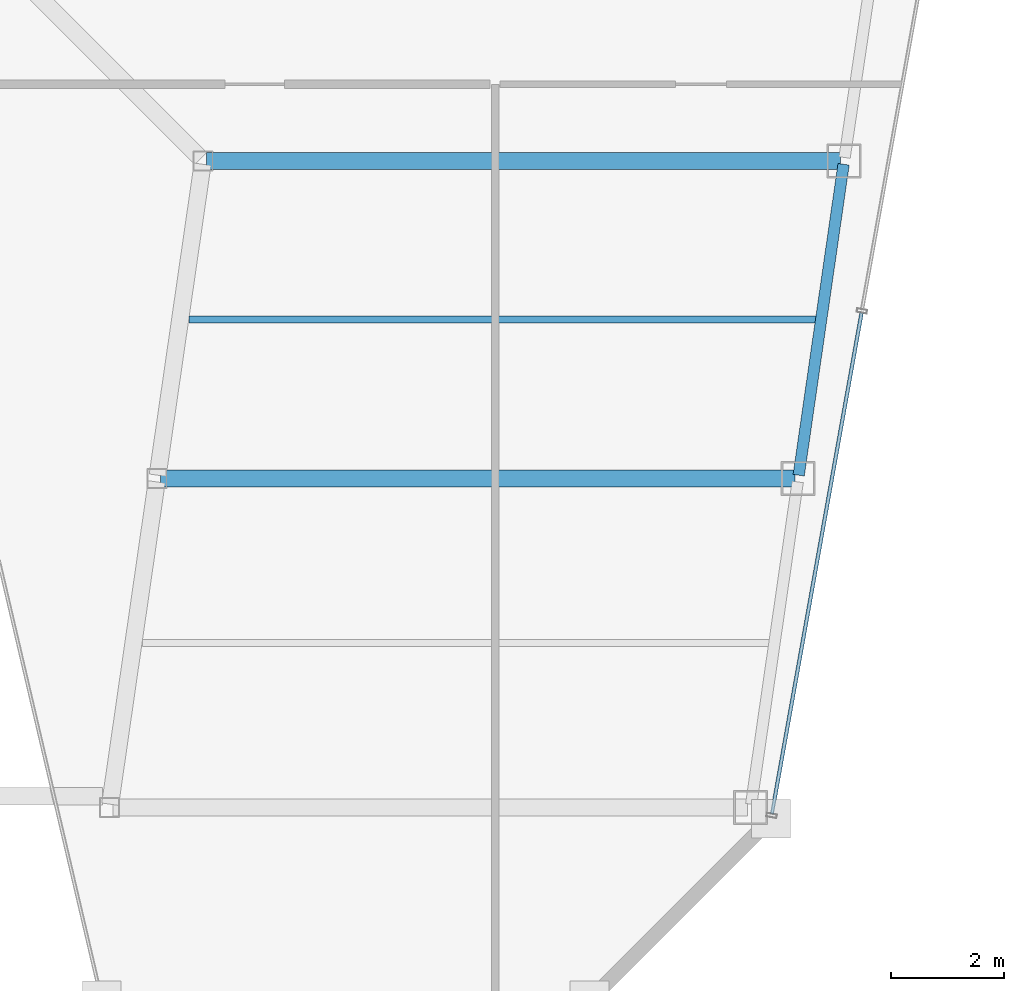
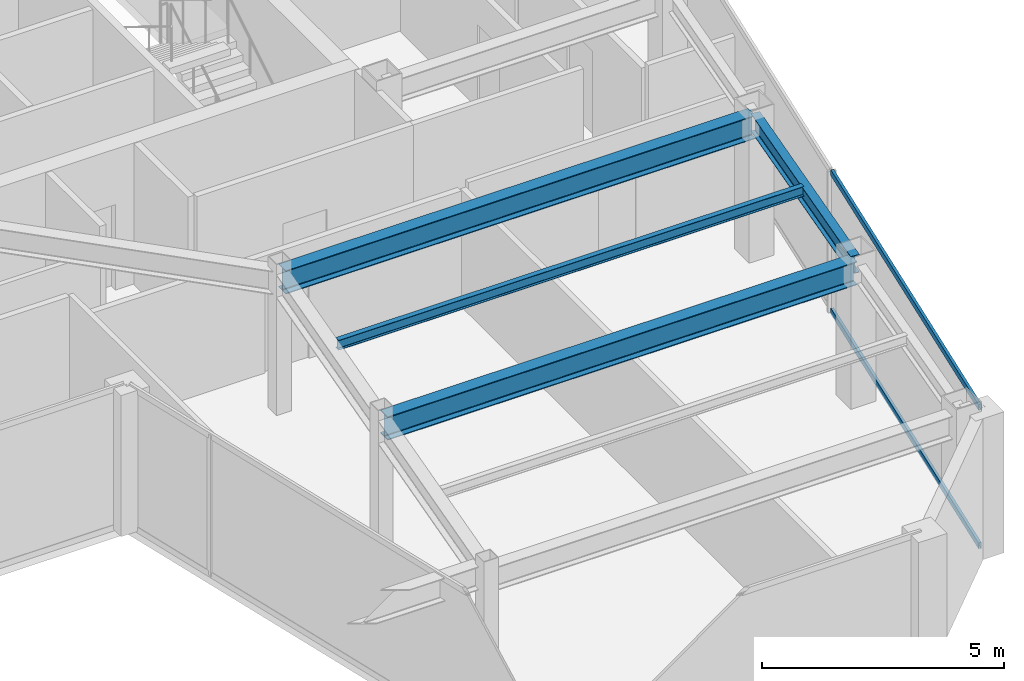
# One storey, part 16 of 32: 4 beams, 2 members, 1 element without a shape of its own.
"""IFC4 building model written with IfcOpenShell, lengths in metres."""

from ifc_helpers import new_model, si_unit, direction, frame, origin, origin_2d, place, context, subcontext, project, spatial, hollow_rectangle, i_section, extrude, material, material_profile, profile_set, type_object, element, aggregate, save


model = new_model("IFC4")

# Units and contexts
model_context = context("Model", 3, precision=1e-05, world=origin(), true_north=direction((0.0, 1.0)))
body_context = subcontext(model_context, "Body", "Model", "MODEL_VIEW")
ifc_project = project(units=[si_unit("LENGTHUNIT", "METRE"), si_unit("AREAUNIT", "SQUARE_METRE"), si_unit("VOLUMEUNIT", "CUBIC_METRE"), si_unit("PLANEANGLEUNIT", "RADIAN"), si_unit("MASSUNIT", "GRAM", prefix="KILO")], contexts=[model_context])

# Site, building, storey
site_placement = place(None, origin())
site = spatial("IfcSite", under=ifc_project, at=site_placement, CompositionType="ELEMENT")
building_placement = place(site_placement, origin())
building = spatial("IfcBuilding", under=site, at=building_placement, Name="Saevonmaru Cultural Tower", CompositionType="ELEMENT")
storey_placement = place(building_placement, frame((0.0, 0.0, 264.800048828125)))
storey = spatial("IfcBuildingStorey", under=building, at=storey_placement, Name="L62", CompositionType="ELEMENT", Elevation=264.800048828125)

# Beams
ifc_material_1 = material(Name="Steel SM355", Category="steel")
ifc_material_profile_1 = material_profile(ifc_material_1, i_section(OverallWidth=0.300048828125, OverallDepth=0.587890625, WebThickness=0.011962890625, FlangeThickness=0.02001953125, FilletRadius=0.02392578125, at=origin_2d()), Name="H-588x300x12x20")
ifc_profile_set_1 = profile_set([ifc_material_profile_1], Name="Steel SM355")
beam_type_1 = type_object("IfcBeamType", Name="BM-G-H588", PredefinedType="BEAM", material=ifc_profile_set_1)
for number, where, z_axis, x_axis, name in (
    (1, (40.443115234375, 32.0, 3.255859375), (1.0, 0.0, 0.0), (0.0, 1.0, 0.0), "L62 East Wing Transverse Girder 2"),
    (2, (41.251953125, 37.60009765625, 3.255859375), (1.0, 0.0, 0.0), (0.0, 1.0, 0.0), "L62 East Wing Transverse Girder 3"),
):
    element("IfcBeam", number, at=place(storey_placement, frame(where, z_axis=z_axis, x_axis=x_axis)), inside=storey, type_object=beam_type_1, Name=name, PredefinedType="BEAM", context=body_context, shape_type="SweptSolid", body=[
        extrude(i_section(OverallWidth=0.300048828125, OverallDepth=0.587890625, WebThickness=0.011962890625, FlangeThickness=0.02001953125, FilletRadius=0.02392578125, at=origin_2d()), origin(), (0.0, 0.0, 1.0), 11.179931640625),
    ])
ifc_material_profile_2 = material_profile(ifc_material_1, i_section(OverallWidth=0.125, OverallDepth=0.25, WebThickness=0.006103515625, FlangeThickness=0.009033203125, FilletRadius=0.008056640625, at=origin_2d()), Name="H-250x125x6x9")
ifc_profile_set_2 = profile_set([ifc_material_profile_2], Name="Steel SM355")
beam_type_2 = type_object("IfcBeamType", Name="BM-J-H250", PredefinedType="JOIST", material=ifc_profile_set_2)
beam_1_placement = place(storey_placement, frame((40.945556640625, 34.800048828125, 3.425048828125), z_axis=(1.0, 0.0, 0.0), x_axis=(0.0, 1.0, 0.0)))
element("IfcBeam", 3, at=beam_1_placement, inside=storey, type_object=beam_type_2, Name="L62 East Wing Floor Joist 2", PredefinedType="JOIST", context=body_context, shape_type="SweptSolid", body=[
    extrude(i_section(OverallWidth=0.125, OverallDepth=0.25, WebThickness=0.006103515625, FlangeThickness=0.009033203125, FilletRadius=0.008056640625, at=origin_2d()), origin(), (0.0, 0.0, 1.0), 11.08203125),
])
ifc_material_profile_3 = material_profile(ifc_material_1, i_section(OverallWidth=0.199951171875, OverallDepth=0.449951171875, WebThickness=0.009033203125, FlangeThickness=0.013916015625, FilletRadius=0.01806640625, at=origin_2d()), Name="H-450x200x9x14")
ifc_profile_set_3 = profile_set([ifc_material_profile_3], Name="Steel SM355")
beam_type_3 = type_object("IfcBeamType", Name="BM-SP-H450", PredefinedType="SPANDREL", material=ifc_profile_set_3)
beam_2_placement = place(storey_placement, frame((51.691650390625, 32.059326171875, 3.324951171875), z_axis=(0.142964121327, 0.989727871697, 0.0), x_axis=(-0.989727871697, 0.142964121327, 0.0)))
element("IfcBeam", 4, at=beam_2_placement, inside=storey, type_object=beam_type_3, Name="L62 East Splayed Spandrel 2", PredefinedType="SPANDREL", context=body_context, shape_type="SweptSolid", body=[
    extrude(i_section(OverallWidth=0.199951171875, OverallDepth=0.449951171875, WebThickness=0.009033203125, FlangeThickness=0.013916015625, FilletRadius=0.01806640625, at=origin_2d()), origin(), (0.0, 0.0, 1.0), 5.5380859375),
])

# Curtain wall, members
ifc_material_2 = material(Name="Satin Bronze Anodised Aluminium", Category="aluminium")
curtain_wall_type = type_object("IfcCurtainWallType", Name="CW-TYP-B", PredefinedType="NOTDEFINED", material=ifc_material_2)
curtain_wall_placement = place(storey_placement, origin())
curtain_wall = element("IfcCurtainWall", 5, at=curtain_wall_placement, inside=storey, type_object=curtain_wall_type, Name="L62 Unitised Curtain Wall E8", PredefinedType="NOTDEFINED")
ifc_material_profile_4 = material_profile(ifc_material_2, hollow_rectangle(XDim=0.06494140625, YDim=0.14990234375, WallThickness=0.00390625, at=origin_2d()), Name="ALU-TRAN-150x65x4")
ifc_profile_set_4 = profile_set([ifc_material_profile_4], Name="Satin Bronze Anodised Aluminium")
member_type = type_object("IfcMemberType", Name="TR-CW-150x65", PredefinedType="USERDEFINED", material=ifc_profile_set_4)
member_1_placement = place(storey_placement, frame((51.220703125, 26.091064453125, 0.032470703125), z_axis=(0.176144810911, 0.984364264685, 0.0), x_axis=(-0.984364264685, 0.176144810911, 0.0)))
member_1 = element("IfcMember", 6, at=member_1_placement, type_object=member_type, Name="CW-TW-L62-E8 transom 1.1", ObjectType="TRANSOM", PredefinedType="USERDEFINED", context=body_context, shape_type="SweptSolid", body=[
    extrude(hollow_rectangle(XDim=0.06494140625, YDim=0.14990234375, WallThickness=0.00390625, at=origin_2d()), origin(), (0.0, 0.0, 1.0), 8.97021484375),
])
member_2_placement = place(storey_placement, frame((51.220703125, 26.091064453125, 3.517333984375), z_axis=(0.176144810911, 0.984364264685, 0.0), x_axis=(-0.984364264685, 0.176144810911, 0.0)))
member_2 = element("IfcMember", 7, at=member_2_placement, type_object=member_type, Name="CW-TW-L62-E8 transom 1.2", ObjectType="TRANSOM", PredefinedType="USERDEFINED", context=body_context, shape_type="SweptSolid", body=[
    extrude(hollow_rectangle(XDim=0.06494140625, YDim=0.14990234375, WallThickness=0.00390625, at=origin_2d()), origin(), (0.0, 0.0, 1.0), 8.97021484375),
])
aggregate(curtain_wall, [member_1, member_2])

save(model, "model.ifc")
